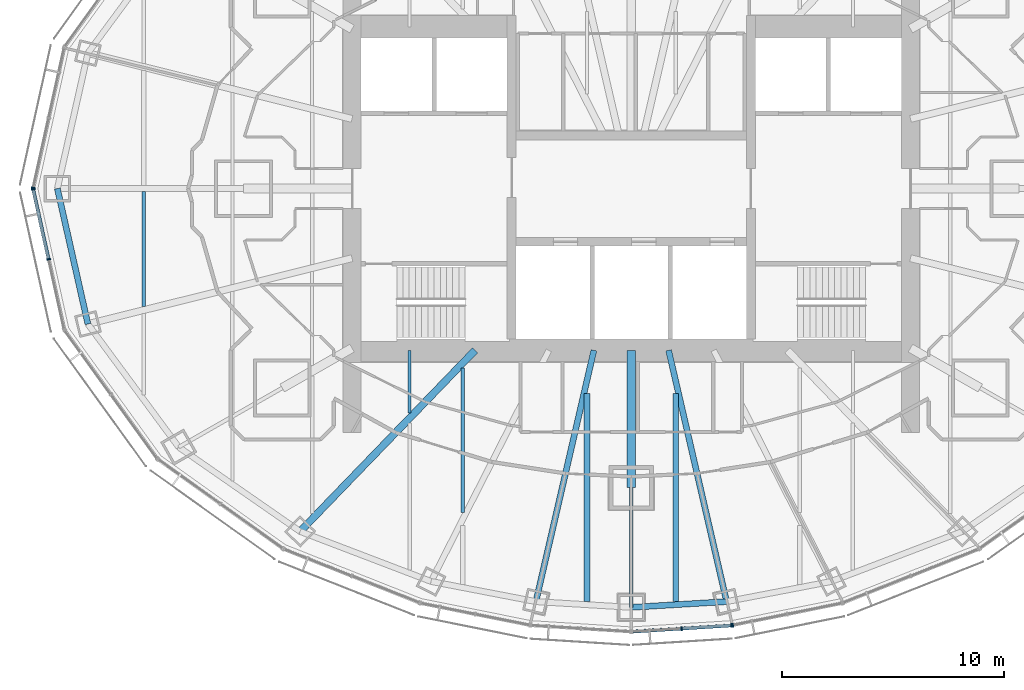
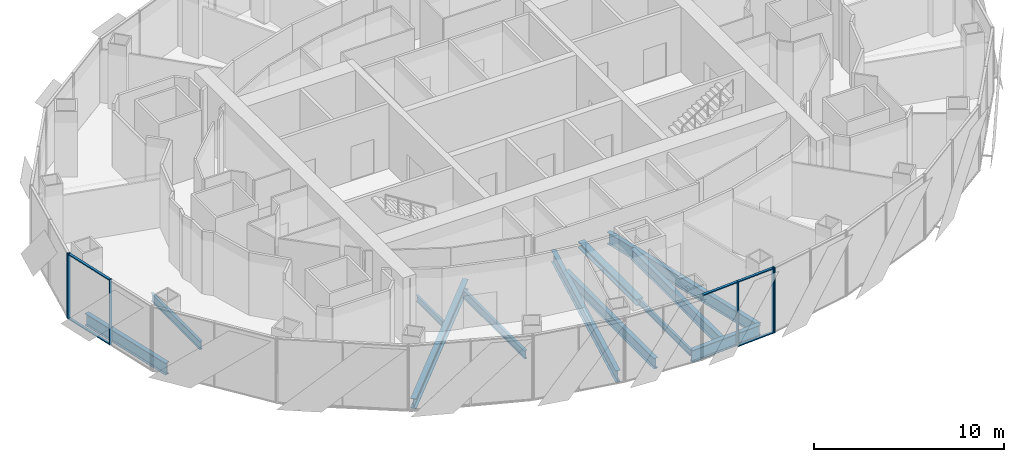
# One storey, part 3 of 19: 12 beams, 11 members, 4 elements without a shape of their own.
"""IFC4 building model written with IfcOpenShell, lengths in metres."""

from ifc_helpers import new_model, si_unit, direction, frame, origin, origin_2d, place, context, subcontext, project, spatial, rectangle, i_section, extrude, material, material_profile, profile_set, type_object, element, aggregate, save


model = new_model("IFC4")

# Units and contexts
model_context = context("Model", 3, precision=1e-05, world=origin(), true_north=direction((0.0, 1.0)))
body_context = subcontext(model_context, "Body", "Model", "MODEL_VIEW")
ifc_project = project(units=[si_unit("LENGTHUNIT", "METRE"), si_unit("AREAUNIT", "SQUARE_METRE"), si_unit("VOLUMEUNIT", "CUBIC_METRE"), si_unit("PLANEANGLEUNIT", "RADIAN"), si_unit("MASSUNIT", "GRAM", prefix="KILO")], contexts=[model_context])

# Site, building, storey
site_placement = place(None, origin())
site = spatial("IfcSite", under=ifc_project, at=site_placement, CompositionType="ELEMENT")
building_placement = place(site_placement, origin())
building = spatial("IfcBuilding", under=site, at=building_placement, Name="Lantaw Convention Tower", CompositionType="ELEMENT")
storey_placement = place(building_placement, frame((0.0, 0.0, 253.60009765625)))
storey = spatial("IfcBuildingStorey", under=building, at=storey_placement, Name="L59", CompositionType="ELEMENT", Elevation=253.60009765625)

# Beams
ifc_material_1 = material(Name="Steel ASTM A992", Category="steel")
ifc_material_profile_1 = material_profile(ifc_material_1, i_section(OverallWidth=0.2666015625, OverallDepth=0.76953125, WebThickness=0.015625, FlangeThickness=0.025390625, FilletRadius=0.0126953125, at=origin_2d()), Name="W30X132")
ifc_profile_set_1 = profile_set([ifc_material_profile_1], Name="Steel ASTM A992")
beam_type_1 = type_object("IfcBeamType", Name="Beam E W30X132", PredefinedType="SPANDREL", material=ifc_profile_set_1)
beam_1_placement = place(storey_placement, frame((-25.89990234375, 0.0, -0.534912109375), z_axis=(0.219857926596, -0.97553190215, 0.0), x_axis=(0.97553190215, 0.219857926596, 0.0)))
element("IfcBeam", 1, at=beam_1_placement, inside=storey, type_object=beam_type_1, Name="Edge beam 13", PredefinedType="SPANDREL", context=body_context, shape_type="SweptSolid", body=[
    extrude(i_section(OverallWidth=0.2666015625, OverallDepth=0.76953125, WebThickness=0.015625, FlangeThickness=0.025390625, FilletRadius=0.0126953125, at=origin_2d()), origin(), (0.0, 0.0, 1.0), 6.267333984375),
])
beam_2_placement = place(storey_placement, frame((0.0, -18.89990234375, -0.534912109375), z_axis=(0.998210730897, 0.059794119452, 0.0), x_axis=(-0.059794119452, 0.998210730897, 0.0)))
element("IfcBeam", 2, at=beam_2_placement, inside=storey, type_object=beam_type_1, Name="Edge beam 19", PredefinedType="SPANDREL", context=body_context, shape_type="SweptSolid", body=[
    extrude(i_section(OverallWidth=0.2666015625, OverallDepth=0.76953125, WebThickness=0.015625, FlangeThickness=0.025390625, FilletRadius=0.0126953125, at=origin_2d()), origin(), (0.0, 0.0, 1.0), 4.311767578125),
])
ifc_material_profile_2 = material_profile(ifc_material_1, i_section(OverallWidth=0.140380859375, OverallDepth=0.40380859375, WebThickness=0.007080078125, FlangeThickness=0.01123046875, FilletRadius=0.01025390625, at=origin_2d()), Name="W16X31")
ifc_profile_set_2 = profile_set([ifc_material_profile_2], Name="Steel ASTM A992")
beam_type_2 = type_object("IfcBeamType", Name="Beam G W16X31", PredefinedType="BEAM", material=ifc_profile_set_2)
beam_3_placement = place(storey_placement, frame((0.0, -13.5, -0.35205078125), z_axis=(0.0, -1.0, 0.0), x_axis=(1.0, 0.0, 0.0)))
element("IfcBeam", 3, at=beam_3_placement, inside=storey, type_object=beam_type_2, Name="Floor girder on ray 19", PredefinedType="BEAM", context=body_context, shape_type="SweptSolid", body=[
    extrude(i_section(OverallWidth=0.140380859375, OverallDepth=0.40380859375, WebThickness=0.007080078125, FlangeThickness=0.01123046875, FilletRadius=0.01025390625, at=origin_2d()), origin(), (0.0, 0.0, 1.0), 5.39990234375),
])
ifc_material_profile_3 = material_profile(ifc_material_1, i_section(OverallWidth=0.32763671875, OverallDepth=0.64013671875, WebThickness=0.01904296875, FlangeThickness=0.033935546875, FilletRadius=0.0126953125, at=origin_2d()), Name="W24X176")
ifc_profile_set_3 = profile_set([ifc_material_profile_3], Name="Steel ASTM A992")
beam_type_3 = type_object("IfcBeamType", Name="Beam G W24X176", PredefinedType="BEAM", material=ifc_profile_set_3)
beam_4_placement = place(storey_placement, frame((-7.049560546875, -7.300048828125, -0.47021484375), z_axis=(-0.694657766726, -0.719340383356, 0.0), x_axis=(0.719340383356, -0.694657766726, 0.0)))
element("IfcBeam", 4, at=beam_4_placement, inside=storey, type_object=beam_type_3, Name="Floor girder on ray 16", PredefinedType="BEAM", context=body_context, shape_type="SweptSolid", body=[
    extrude(i_section(OverallWidth=0.32763671875, OverallDepth=0.64013671875, WebThickness=0.01904296875, FlangeThickness=0.033935546875, FilletRadius=0.0126953125, at=origin_2d()), origin(), (0.0, 0.0, 1.0), 11.364990234375),
])
ifc_material_profile_4 = material_profile(ifc_material_1, i_section(OverallWidth=0.2666015625, OverallDepth=0.7568359375, WebThickness=0.013916015625, FlangeThickness=0.019287109375, FilletRadius=0.0126953125, at=origin_2d()), Name="W30X108")
ifc_profile_set_4 = profile_set([ifc_material_profile_4], Name="Steel ASTM A992")
beam_type_4 = type_object("IfcBeamType", Name="Beam G W30X108", PredefinedType="BEAM", material=ifc_profile_set_4)
for number, where, z_axis, x_axis, name in (
    (5, (-1.685302734375, -7.300048828125, -0.528564453125), (-0.224962134377, -0.974367506692, 0.0), (0.974367506692, -0.224962134377, 0.0), "Floor girder on ray 18"),
    (6, (1.685302734375, -7.300048828125, -0.528564453125), (0.224962134377, -0.974367506692, 0.0), (0.974367506692, 0.224962134377, 0.0), "Floor girder on ray 20"),
):
    element("IfcBeam", number, at=place(storey_placement, frame(where, z_axis=z_axis, x_axis=x_axis)), inside=storey, type_object=beam_type_4, Name=name, PredefinedType="BEAM", context=body_context, shape_type="SweptSolid", body=[
        extrude(i_section(OverallWidth=0.2666015625, OverallDepth=0.7568359375, WebThickness=0.013916015625, FlangeThickness=0.019287109375, FilletRadius=0.0126953125, at=origin_2d()), origin(), (0.0, 0.0, 1.0), 11.640380859375),
    ])
ifc_material_profile_5 = material_profile(ifc_material_1, i_section(OverallWidth=0.40380859375, OverallDepth=0.406494140625, WebThickness=0.027099609375, FlangeThickness=0.043701171875, FilletRadius=0.01513671875, at=origin_2d()), Name="W14X233")
ifc_profile_set_5 = profile_set([ifc_material_profile_5], Name="Steel ASTM A992")
beam_type_5 = type_object("IfcBeamType", Name="Beam GM W14X233", PredefinedType="BEAM", material=ifc_profile_set_5)
beam_5_placement = place(storey_placement, frame((0.0, -7.300048828125, -0.353271484375), z_axis=(0.0, -1.0, 0.0), x_axis=(1.0, 0.0, 0.0)))
element("IfcBeam", 7, at=beam_5_placement, inside=storey, type_object=beam_type_5, Name="Core link beam on ray 19", PredefinedType="BEAM", context=body_context, shape_type="SweptSolid", body=[
    extrude(i_section(OverallWidth=0.40380859375, OverallDepth=0.406494140625, WebThickness=0.027099609375, FlangeThickness=0.043701171875, FilletRadius=0.01513671875, at=origin_2d()), origin(), (0.0, 0.0, 1.0), 6.199951171875),
])
ifc_material_profile_6 = material_profile(ifc_material_1, i_section(OverallWidth=0.140380859375, OverallDepth=0.40380859375, WebThickness=0.007080078125, FlangeThickness=0.01123046875, FilletRadius=0.01025390625, at=origin_2d()), Name="W16X31")
ifc_profile_set_6 = profile_set([ifc_material_profile_6], Name="Steel ASTM A992")
beam_type_6 = type_object("IfcBeamType", Name="Beam J W16X31", PredefinedType="JOIST", material=ifc_profile_set_6)
beam_6_placement = place(storey_placement, frame((-10.0, -10.119384765625, -0.35205078125), z_axis=(0.0, 1.0, 0.0), x_axis=(-1.0, 0.0, 0.0)))
element("IfcBeam", 8, at=beam_6_placement, inside=storey, type_object=beam_type_6, Name="Floor joist", PredefinedType="JOIST", context=body_context, shape_type="SweptSolid", body=[
    extrude(i_section(OverallWidth=0.140380859375, OverallDepth=0.40380859375, WebThickness=0.007080078125, FlangeThickness=0.01123046875, FilletRadius=0.01025390625, at=origin_2d()), origin(), (0.0, 0.0, 1.0), 2.8193359375),
])
ifc_material_profile_7 = material_profile(ifc_material_1, i_section(OverallWidth=0.1650390625, OverallDepth=0.52587890625, WebThickness=0.0087890625, FlangeThickness=0.011474609375, FilletRadius=0.0126953125, at=origin_2d()), Name="W21X44")
ifc_profile_set_7 = profile_set([ifc_material_profile_7], Name="Steel ASTM A992")
beam_type_7 = type_object("IfcBeamType", Name="Beam J W21X44", PredefinedType="JOIST", material=ifc_profile_set_7)
beam_7_placement = place(storey_placement, frame((-22.0, -5.326904296875, -0.4130859375), z_axis=(0.0, 1.0, 0.0), x_axis=(-1.0, 0.0, 0.0)))
element("IfcBeam", 9, at=beam_7_placement, inside=storey, type_object=beam_type_7, Name="Floor joist", PredefinedType="JOIST", context=body_context, shape_type="SweptSolid", body=[
    extrude(i_section(OverallWidth=0.1650390625, OverallDepth=0.52587890625, WebThickness=0.0087890625, FlangeThickness=0.011474609375, FilletRadius=0.0126953125, at=origin_2d()), origin(), (0.0, 0.0, 1.0), 5.199951171875),
])
beam_8_placement = place(storey_placement, frame((-7.60009765625, -14.6220703125, -0.4130859375), z_axis=(0.0, 1.0, 0.0), x_axis=(-1.0, 0.0, 0.0)))
element("IfcBeam", 10, at=beam_8_placement, inside=storey, type_object=beam_type_7, Name="Floor joist", PredefinedType="JOIST", context=body_context, shape_type="SweptSolid", body=[
    extrude(i_section(OverallWidth=0.1650390625, OverallDepth=0.52587890625, WebThickness=0.0087890625, FlangeThickness=0.011474609375, FilletRadius=0.0126953125, at=origin_2d()), origin(), (0.0, 0.0, 1.0), 6.51611328125),
])
ifc_material_profile_8 = material_profile(ifc_material_1, i_section(OverallWidth=0.25390625, OverallDepth=0.683349609375, WebThickness=0.012451171875, FlangeThickness=0.01904296875, FilletRadius=0.01513671875, at=origin_2d()), Name="W27X94")
ifc_profile_set_8 = profile_set([ifc_material_profile_8], Name="Steel ASTM A992")
beam_type_8 = type_object("IfcBeamType", Name="Beam J W27X94", PredefinedType="JOIST", material=ifc_profile_set_8)
for number, where, z_axis, x_axis, name in (
    (11, (-2.0, -18.646484375, -0.49169921875), (0.0, 1.0, 0.0), (-1.0, 0.0, 0.0), "Floor joist"),
    (12, (2.0, -18.646484375, -0.49169921875), (0.0, 1.0, 0.0), (-1.0, 0.0, 0.0), "Floor joist"),
):
    element("IfcBeam", number, at=place(storey_placement, frame(where, z_axis=z_axis, x_axis=x_axis)), inside=storey, type_object=beam_type_8, Name=name, PredefinedType="JOIST", context=body_context, shape_type="SweptSolid", body=[
        extrude(i_section(OverallWidth=0.25390625, OverallDepth=0.683349609375, WebThickness=0.012451171875, FlangeThickness=0.01904296875, FilletRadius=0.01513671875, at=origin_2d()), origin(), (0.0, 0.0, 1.0), 9.390625),
    ])

# Curtain wall, member
ifc_material_2 = material(Name="Aluminium framed curtain wall", Category="aluminium")
curtain_wall_type = type_object("IfcCurtainWallType", Name="Office curtain wall high rise, pale aluminium", PredefinedType="USERDEFINED", material=ifc_material_2)
curtain_wall_1_placement = place(storey_placement, origin())
curtain_wall_1 = element("IfcCurtainWall", 13, at=curtain_wall_1_placement, inside=storey, type_object=curtain_wall_type, Name="Office curtain wall high rise, pale aluminium L59", ObjectType="UNITISED CURTAIN WALL", PredefinedType="USERDEFINED")
ifc_material_3 = material(Name="Aluminium 6063-T6", Category="aluminium")
ifc_material_profile_9 = material_profile(ifc_material_3, rectangle(XDim=0.179931640625, YDim=0.06494140625, at=origin_2d()), Name="CW-O2 mullion 65x180")
ifc_profile_set_9 = profile_set([ifc_material_profile_9], Name="Aluminium 6063-T6")
member_type_1 = type_object("IfcMemberType", Name="CW-O2 mullion 65x180", PredefinedType="MULLION", material=ifc_profile_set_9)
member_1_placement = place(storey_placement, frame((-26.992919921875, 0.03173828125, -0.150146484375), z_axis=(0.0, 0.0, 1.0), x_axis=(0.976417396437, -0.215891333626, 0.0)))
member_1 = element("IfcMember", 14, at=member_1_placement, type_object=member_type_1, Name="CW-O2 mullion 3", PredefinedType="MULLION", context=body_context, shape_type="SweptSolid", body=[
    extrude(rectangle(XDim=0.179931640625, YDim=0.06494140625, at=origin_2d()), origin(), (0.0, 0.0, 1.0), 4.199951171875),
])
aggregate(curtain_wall_1, [member_1])

# Curtain wall, members
curtain_wall_2_placement = place(storey_placement, origin())
curtain_wall_2 = element("IfcCurtainWall", 15, at=curtain_wall_2_placement, inside=storey, type_object=curtain_wall_type, Name="Office curtain wall high rise, pale aluminium L59", ObjectType="UNITISED CURTAIN WALL", PredefinedType="USERDEFINED")
member_2_placement = place(storey_placement, frame((-26.992919921875, -0.03173828125, -0.150146484375), z_axis=(0.0, 0.0, 1.0), x_axis=(0.976417396437, 0.215891333626, 0.0)))
member_2 = element("IfcMember", 16, at=member_2_placement, type_object=member_type_1, Name="CW-O2 mullion 1", PredefinedType="MULLION", context=body_context, shape_type="SweptSolid", body=[
    extrude(rectangle(XDim=0.179931640625, YDim=0.06494140625, at=origin_2d()), origin(), (0.0, 0.0, 1.0), 4.199951171875),
])
member_3_placement = place(storey_placement, frame((-26.294677734375, -3.190185546875, -0.150146484375), z_axis=(0.0, 0.0, 1.0), x_axis=(0.976417396437, 0.215891333626, 0.0)))
member_3 = element("IfcMember", 17, at=member_3_placement, type_object=member_type_1, Name="CW-O2 mullion 2", PredefinedType="MULLION", context=body_context, shape_type="SweptSolid", body=[
    extrude(rectangle(XDim=0.179931640625, YDim=0.06494140625, at=origin_2d()), origin(), (0.0, 0.0, 1.0), 4.199951171875),
])

curtain_wall_3_placement = place(storey_placement, origin())
curtain_wall_3 = element("IfcCurtainWall", 18, at=curtain_wall_3_placement, inside=storey, type_object=curtain_wall_type, Name="Office curtain wall high rise, pale aluminium L59", ObjectType="UNITISED CURTAIN WALL", PredefinedType="USERDEFINED")
member_4_placement = place(storey_placement, frame((2.275634765625, -19.85693359375, -0.150146484375), z_axis=(0.0, 0.0, 1.0), x_axis=(-0.062757983884, 0.998028774865, 0.0)))
member_4 = element("IfcMember", 19, at=member_4_placement, type_object=member_type_1, Name="CW-O2 mullion 2", PredefinedType="MULLION", context=body_context, shape_type="SweptSolid", body=[
    extrude(rectangle(XDim=0.179931640625, YDim=0.06494140625, at=origin_2d()), origin(), (0.0, 0.0, 1.0), 4.199951171875),
])
member_5_placement = place(storey_placement, frame((4.518798828125, -19.7158203125, -0.150146484375), z_axis=(0.0, 0.0, 1.0), x_axis=(-0.062757983884, 0.998028774865, 0.0)))
member_5 = element("IfcMember", 20, at=member_5_placement, type_object=member_type_1, Name="CW-O2 mullion 3", PredefinedType="MULLION", context=body_context, shape_type="SweptSolid", body=[
    extrude(rectangle(XDim=0.179931640625, YDim=0.06494140625, at=origin_2d()), origin(), (0.0, 0.0, 1.0), 4.199951171875),
])

# Curtain wall, member
curtain_wall_4_placement = place(storey_placement, origin())
curtain_wall_4 = element("IfcCurtainWall", 21, at=curtain_wall_4_placement, inside=storey, type_object=curtain_wall_type, Name="Office curtain wall high rise, pale aluminium L59", ObjectType="UNITISED CURTAIN WALL", PredefinedType="USERDEFINED")
member_6_placement = place(storey_placement, frame((4.583251953125, -19.70751953125, -0.150146484375), z_axis=(0.0, 0.0, 1.0), x_axis=(-0.197183095987, 0.980366679695, 0.0)))
member_6 = element("IfcMember", 22, at=member_6_placement, type_object=member_type_1, Name="CW-O2 mullion 1", PredefinedType="MULLION", context=body_context, shape_type="SweptSolid", body=[
    extrude(rectangle(XDim=0.179931640625, YDim=0.06494140625, at=origin_2d()), origin(), (0.0, 0.0, 1.0), 4.199951171875),
])
aggregate(curtain_wall_4, [member_6])

# Member
ifc_material_profile_10 = material_profile(ifc_material_3, rectangle(XDim=0.14990234375, YDim=0.06494140625, at=origin_2d()), Name="CW-O2 transom 65x150")
ifc_profile_set_10 = profile_set([ifc_material_profile_10], Name="Aluminium 6063-T6")
member_type_2 = type_object("IfcMemberType", Name="CW-O2 transom 65x150", PredefinedType="USERDEFINED", material=ifc_profile_set_10)
member_7_placement = place(storey_placement, frame((-26.986083984375, -0.0634765625, -0.11767578125), z_axis=(0.215894607042, -0.976416672661, 0.0), x_axis=(0.976416672661, 0.215894607042, 0.0)))
member_7 = element("IfcMember", 23, at=member_7_placement, type_object=member_type_2, Name="CW-O2 transom 1.1", ObjectType="TRANSOM", PredefinedType="USERDEFINED", context=body_context, shape_type="SweptSolid", body=[
    extrude(rectangle(XDim=0.14990234375, YDim=0.06494140625, at=origin_2d()), origin(), (0.0, 0.0, 1.0), 3.169677734375),
])

member_8_placement = place(storey_placement, frame((-26.986083984375, -0.0634765625, 4.017333984375), z_axis=(0.215894607042, -0.976416672661, 0.0), x_axis=(0.976416672661, 0.215894607042, 0.0)))
member_8 = element("IfcMember", 24, at=member_8_placement, type_object=member_type_2, Name="CW-O2 transom 1.2", ObjectType="TRANSOM", PredefinedType="USERDEFINED", context=body_context, shape_type="SweptSolid", body=[
    extrude(rectangle(XDim=0.14990234375, YDim=0.06494140625, at=origin_2d()), origin(), (0.0, 0.0, 1.0), 3.169677734375),
])

aggregate(curtain_wall_2, [member_2, member_3, member_7, member_8])

member_9_placement = place(storey_placement, frame((0.06494140625, -19.995849609375, 4.017333984375), z_axis=(0.998029003644, 0.062754345555, 0.0), x_axis=(-0.062754345555, 0.998029003644, 0.0)))
member_9 = element("IfcMember", 25, at=member_9_placement, type_object=member_type_2, Name="CW-O2 transom 1.2", ObjectType="TRANSOM", PredefinedType="USERDEFINED", context=body_context, shape_type="SweptSolid", body=[
    extrude(rectangle(XDim=0.14990234375, YDim=0.06494140625, at=origin_2d()), origin(), (0.0, 0.0, 1.0), 2.1826171875),
])

member_10_placement = place(storey_placement, frame((2.30810546875, -19.85498046875, -0.11767578125), z_axis=(0.998021991509, 0.062865765437, 0.0), x_axis=(-0.062865765437, 0.998021991509, 0.0)))
member_10 = element("IfcMember", 26, at=member_10_placement, type_object=member_type_2, Name="CW-O2 transom 2.1", ObjectType="TRANSOM", PredefinedType="USERDEFINED", context=body_context, shape_type="SweptSolid", body=[
    extrude(rectangle(XDim=0.14990234375, YDim=0.06494140625, at=origin_2d()), origin(), (0.0, 0.0, 1.0), 2.1826171875),
])

member_11_placement = place(storey_placement, frame((2.30810546875, -19.85498046875, 4.017333984375), z_axis=(0.998021991509, 0.062865765437, 0.0), x_axis=(-0.062865765437, 0.998021991509, 0.0)))
member_11 = element("IfcMember", 27, at=member_11_placement, type_object=member_type_2, Name="CW-O2 transom 2.2", ObjectType="TRANSOM", PredefinedType="USERDEFINED", context=body_context, shape_type="SweptSolid", body=[
    extrude(rectangle(XDim=0.14990234375, YDim=0.06494140625, at=origin_2d()), origin(), (0.0, 0.0, 1.0), 2.1826171875),
])

aggregate(curtain_wall_3, [member_4, member_5, member_9, member_10, member_11])

save(model, "model.ifc")
